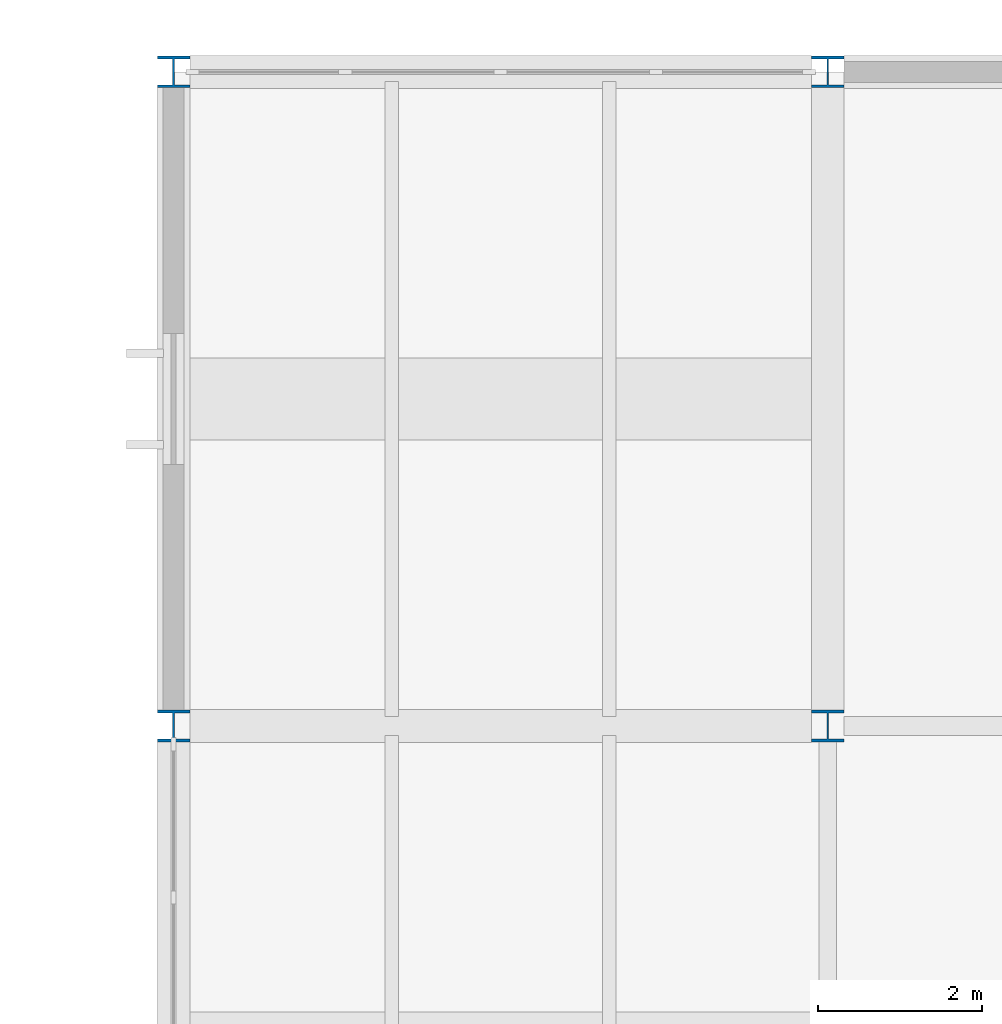
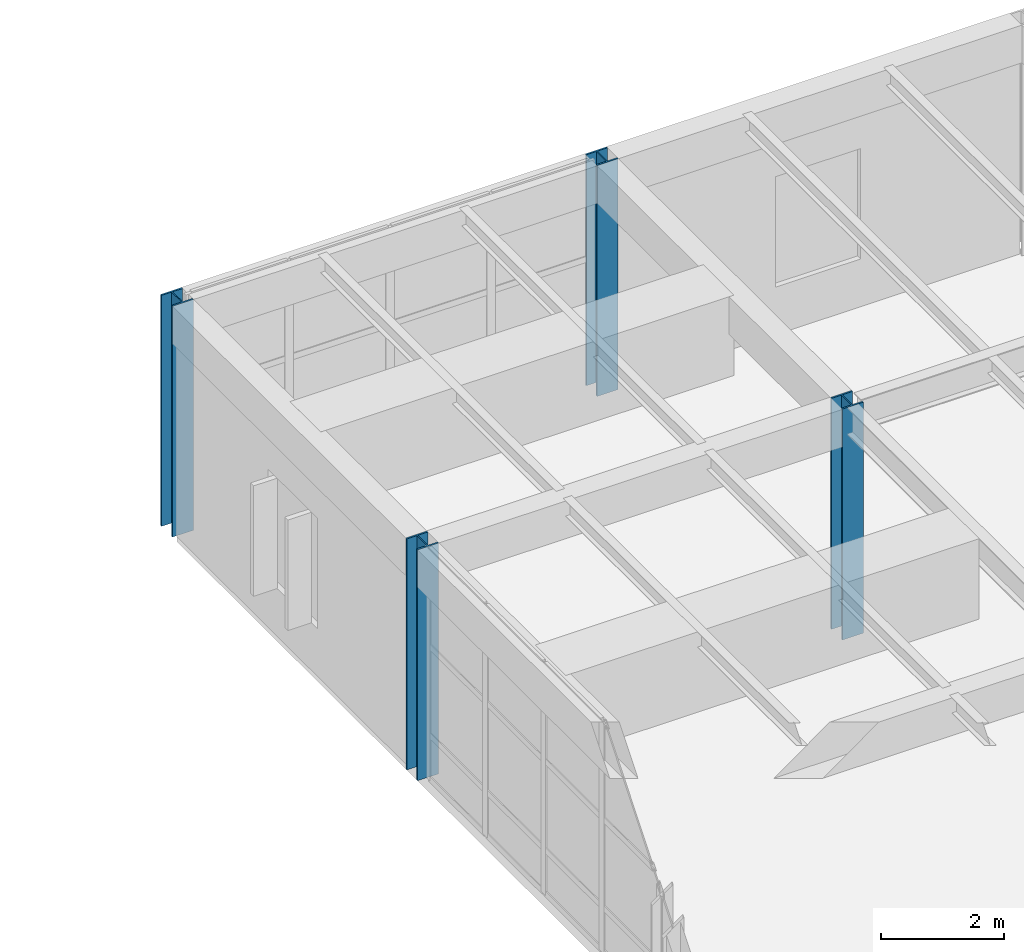
# One storey, part 6 of 60: 4 columns.
"""IFC4 building model written with IfcOpenShell, lengths in metres."""

from ifc_helpers import new_model, si_unit, direction, frame, origin, origin_2d, place, context, subcontext, project, spatial, i_section, extrude, material, material_profile, profile_set, type_object, element, save


model = new_model("IFC4")

# Units and contexts
model_context = context("Model", 3, precision=1e-05, world=origin(), true_north=direction((0.0, 1.0)))
body_context = subcontext(model_context, "Body", "Model", "MODEL_VIEW")
ifc_project = project(units=[si_unit("LENGTHUNIT", "METRE"), si_unit("AREAUNIT", "SQUARE_METRE"), si_unit("VOLUMEUNIT", "CUBIC_METRE"), si_unit("PLANEANGLEUNIT", "RADIAN"), si_unit("MASSUNIT", "GRAM", prefix="KILO")], contexts=[model_context])

# Site, building, storey
site_placement = place(None, origin())
site = spatial("IfcSite", under=ifc_project, at=site_placement, CompositionType="ELEMENT")
building_placement = place(site_placement, origin())
building = spatial("IfcBuilding", under=site, at=building_placement, Name="Varnela Railside Interchange", CompositionType="ELEMENT")
storey_placement = place(building_placement, frame((0.0, 0.0, 6.300048828125)))
storey = spatial("IfcBuildingStorey", under=building, at=storey_placement, Name="L01", CompositionType="ELEMENT", Elevation=6.300048828125)

# Columns
ifc_material = material(Name="Steel AR 350 (350 MPa)", Category="steel")
ifc_material_profile = material_profile(ifc_material, i_section(OverallWidth=0.39794921875, OverallDepth=0.386962890625, WebThickness=0.02099609375, FlangeThickness=0.033203125, at=origin_2d()), Name="W360x262")
ifc_profile_set = profile_set([ifc_material_profile], Name="Steel AR 350 (350 MPa)")
column_type = type_object("IfcColumnType", Name="Superstructure Steel Col C-16", PredefinedType="COLUMN", material=ifc_profile_set)
for number, where, z_axis, x_axis, name in (
    (1, (116.0, 86.0, 0.0), (0.0, 0.0, 1.0), (1.0, 0.0, 0.0), "Column C-16 (L01) (CL-0601)"),
    (2, (116.0, 94.0, 0.0), (0.0, 0.0, 1.0), (1.0, 0.0, 0.0), "Column C-16 (L01) (CL-0602)"),
    (3, (124.0, 86.0, 0.0), (0.0, 0.0, 1.0), (1.0, 0.0, 0.0), "Column C-16 (L01) (CL-0610)"),
    (4, (124.0, 94.0, 0.0), (0.0, 0.0, 1.0), (1.0, 0.0, 0.0), "Column C-16 (L01) (CL-0611)"),
):
    element("IfcColumn", number, at=place(storey_placement, frame(where, z_axis=z_axis, x_axis=x_axis)), inside=storey, type_object=column_type, Name=name, PredefinedType="COLUMN", context=body_context, shape_type="SweptSolid", body=[
        extrude(i_section(OverallWidth=0.39794921875, OverallDepth=0.386962890625, WebThickness=0.02099609375, FlangeThickness=0.033203125, at=origin_2d()), origin(), (0.0, 0.0, 1.0), 4.599853515625),
    ])

save(model, "model.ifc")
